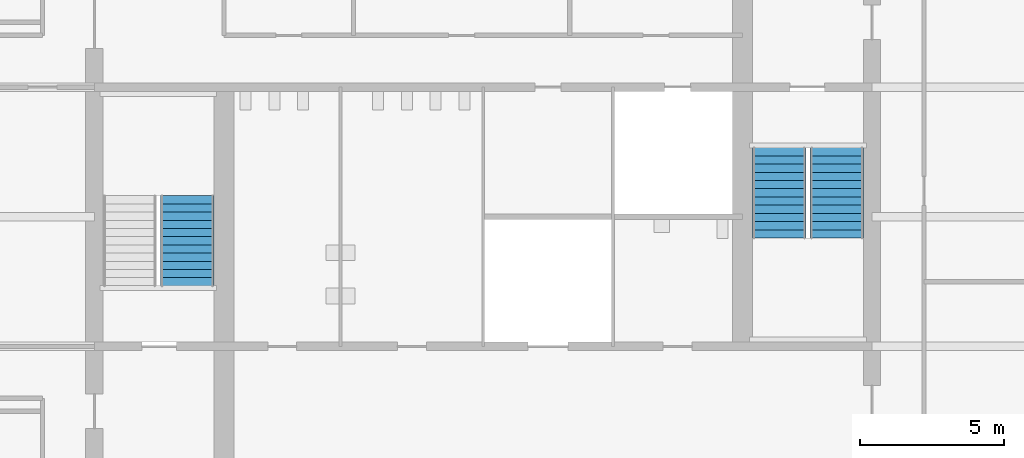
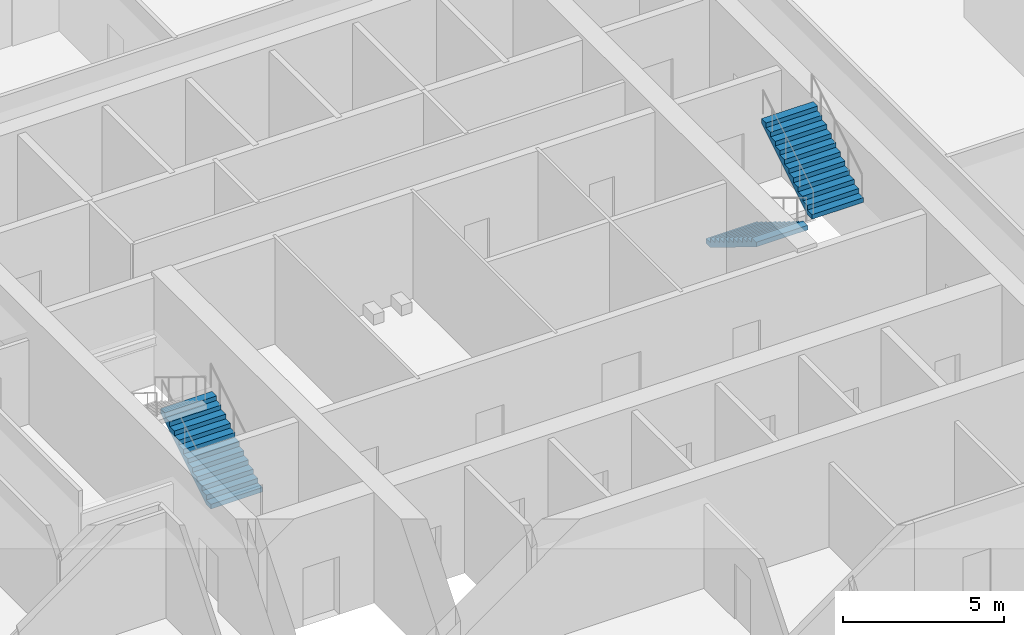
# One storey, part 11 of 13: 3 stair flights, 2 elements without a shape of their own.
"""IFC4 building model written with IfcOpenShell, lengths in metres."""

from ifc_helpers import new_model, si_unit, direction, frame, origin, place, context, subcontext, project, spatial, polyline, outline, extrude, material, type_object, element, aggregate, save


model = new_model("IFC4")

# Units and contexts
model_context = context("Model", 3, precision=1e-05, world=origin(), true_north=direction((0.0, 1.0)))
body_context = subcontext(model_context, "Body", "Model", "MODEL_VIEW")
ifc_project = project(units=[si_unit("LENGTHUNIT", "METRE"), si_unit("AREAUNIT", "SQUARE_METRE"), si_unit("VOLUMEUNIT", "CUBIC_METRE"), si_unit("PLANEANGLEUNIT", "RADIAN"), si_unit("MASSUNIT", "GRAM", prefix="KILO")], contexts=[model_context])

# Site, building, storey
site_placement = place(None, origin())
site = spatial("IfcSite", under=ifc_project, at=site_placement, CompositionType="ELEMENT")
building_placement = place(site_placement, origin())
building = spatial("IfcBuilding", under=site, at=building_placement, Name="Corais Broadcast Tower", CompositionType="ELEMENT")
storey_placement = place(building_placement, frame((0.0, 0.0, 96.199951171875)))
storey = spatial("IfcBuildingStorey", under=building, at=storey_placement, Name="L21", CompositionType="ELEMENT", Elevation=96.199951171875)

# Stair, stair flight
ifc_material_1 = material(Name="Concrete C30/37", Category="concrete")
stair_type = type_object("IfcStairType", Name="Half-turn stair 4200", PredefinedType="HALF_TURN_STAIR", material=ifc_material_1)
stair_1_placement = place(storey_placement, origin())
stair_1 = element("IfcStair", 1, at=stair_1_placement, inside=storey, type_object=stair_type, Name="Stair A L21", PredefinedType="HALF_TURN_STAIR")
ifc_material_2 = material(Name="Concrete C30/37", Category="concrete")
stair_flight_type = type_object("IfcStairFlightType", Name="Stair flight 4200", PredefinedType="STRAIGHT", material=ifc_material_2)
stair_flight_1_placement = place(storey_placement, frame((16.72509765625, 24.60009765625, 0.0), z_axis=(0.0, 0.0, 1.0), x_axis=(0.0, 1.0, 0.0)))
stair_flight_1 = element("IfcStairFlight", 2, at=stair_flight_1_placement, type_object=stair_flight_type, Name="STA flight 1", NumberOfRisers=12, NumberOfTreads=11, PredefinedType="STRAIGHT", RiserHeight=0.175, TreadLength=0.285, context=body_context, shape_type="SweptSolid", body=[
    extrude(outline(polyline([(0.0, 0.0), (0.0, 0.175048828125), (0.284912109375, 0.175048828125), (0.284912109375, 0.35009765625), (0.570068359375, 0.35009765625), (0.570068359375, 0.52490234375), (0.85498046875, 0.52490234375), (0.85498046875, 0.699951171875), (1.139892578125, 0.699951171875), (1.139892578125, 0.875), (1.425048828125, 0.875), (1.425048828125, 1.050048828125), (1.7099609375, 1.050048828125), (1.7099609375, 1.22509765625), (1.9951171875, 1.22509765625), (1.9951171875, 1.39990234375), (2.280029296875, 1.39990234375), (2.280029296875, 1.574951171875), (2.56494140625, 1.574951171875), (2.56494140625, 1.75), (2.85009765625, 1.75), (2.85009765625, 1.925048828125), (3.135009765625, 1.925048828125), (3.135009765625, 2.10009765625), (3.135009765625, 1.7490234375), (0.286376953125, 0.0), (0.0, 0.0)])), frame((0.0, 0.925048828125, 0.0), z_axis=(0.0, -1.0, 0.0), x_axis=(1.0, 0.0, 0.0)), (0.0, 0.0, 1.0), 1.85009765625),
])
aggregate(stair_1, [stair_flight_1])

# Stair, stair flights
stair_2_placement = place(storey_placement, origin())
stair_2 = element("IfcStair", 3, at=stair_2_placement, inside=storey, type_object=stair_type, Name="Stair B L21", PredefinedType="HALF_TURN_STAIR")
stair_flight_2_placement = place(storey_placement, frame((37.27490234375, 29.39990234375, 0.0), z_axis=(0.0, 0.0, 1.0), x_axis=(0.0, -1.0, 0.0)))
stair_flight_2 = element("IfcStairFlight", 4, at=stair_flight_2_placement, type_object=stair_flight_type, Name="STB flight 1", NumberOfRisers=12, NumberOfTreads=11, PredefinedType="STRAIGHT", RiserHeight=0.175, TreadLength=0.285, context=body_context, shape_type="SweptSolid", body=[
    extrude(outline(polyline([(0.0, 0.0), (0.0, 0.175048828125), (0.284912109375, 0.175048828125), (0.284912109375, 0.35009765625), (0.570068359375, 0.35009765625), (0.570068359375, 0.52490234375), (0.85498046875, 0.52490234375), (0.85498046875, 0.699951171875), (1.139892578125, 0.699951171875), (1.139892578125, 0.875), (1.425048828125, 0.875), (1.425048828125, 1.050048828125), (1.7099609375, 1.050048828125), (1.7099609375, 1.22509765625), (1.9951171875, 1.22509765625), (1.9951171875, 1.39990234375), (2.280029296875, 1.39990234375), (2.280029296875, 1.574951171875), (2.56494140625, 1.574951171875), (2.56494140625, 1.75), (2.85009765625, 1.75), (2.85009765625, 1.925048828125), (3.135009765625, 1.925048828125), (3.135009765625, 2.10009765625), (3.135009765625, 1.7490234375), (0.286376953125, 0.0), (0.0, 0.0)])), frame((0.0, 0.925048828125, 0.0), z_axis=(0.0, -1.0, 0.0), x_axis=(1.0, 0.0, 0.0)), (0.0, 0.0, 1.0), 1.85009765625),
])
stair_flight_3_placement = place(storey_placement, frame((39.27490234375, 26.264892578125, 2.10009765625), z_axis=(0.0, 0.0, 1.0), x_axis=(0.0, 1.0, 0.0)))
stair_flight_3 = element("IfcStairFlight", 5, at=stair_flight_3_placement, type_object=stair_flight_type, Name="STB flight 2", NumberOfRisers=12, NumberOfTreads=11, PredefinedType="STRAIGHT", RiserHeight=0.175, TreadLength=0.285, context=body_context, shape_type="SweptSolid", body=[
    extrude(outline(polyline([(0.0, 0.0), (0.0, 0.175048828125), (0.284912109375, 0.175048828125), (0.284912109375, 0.35009765625), (0.570068359375, 0.35009765625), (0.570068359375, 0.52490234375), (0.85498046875, 0.52490234375), (0.85498046875, 0.699951171875), (1.139892578125, 0.699951171875), (1.139892578125, 0.875), (1.425048828125, 0.875), (1.425048828125, 1.050048828125), (1.7099609375, 1.050048828125), (1.7099609375, 1.22509765625), (1.9951171875, 1.22509765625), (1.9951171875, 1.39990234375), (2.280029296875, 1.39990234375), (2.280029296875, 1.574951171875), (2.56494140625, 1.574951171875), (2.56494140625, 1.75), (2.85009765625, 1.75), (2.85009765625, 1.925048828125), (3.135009765625, 1.925048828125), (3.135009765625, 2.10009765625), (3.135009765625, 1.7490234375), (0.286376953125, 0.0), (0.0, 0.0)])), frame((0.0, 0.925048828125, 0.0), z_axis=(0.0, -1.0, 0.0), x_axis=(1.0, 0.0, 0.0)), (0.0, 0.0, 1.0), 1.85009765625),
])
aggregate(stair_2, [stair_flight_2, stair_flight_3])

save(model, "model.ifc")
